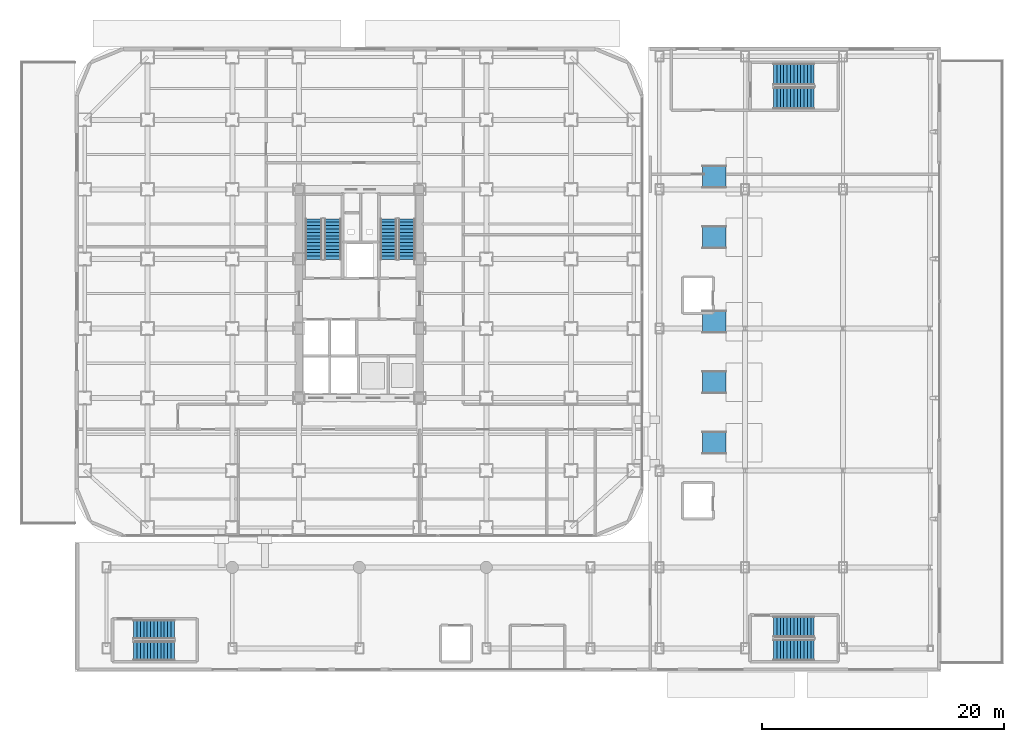
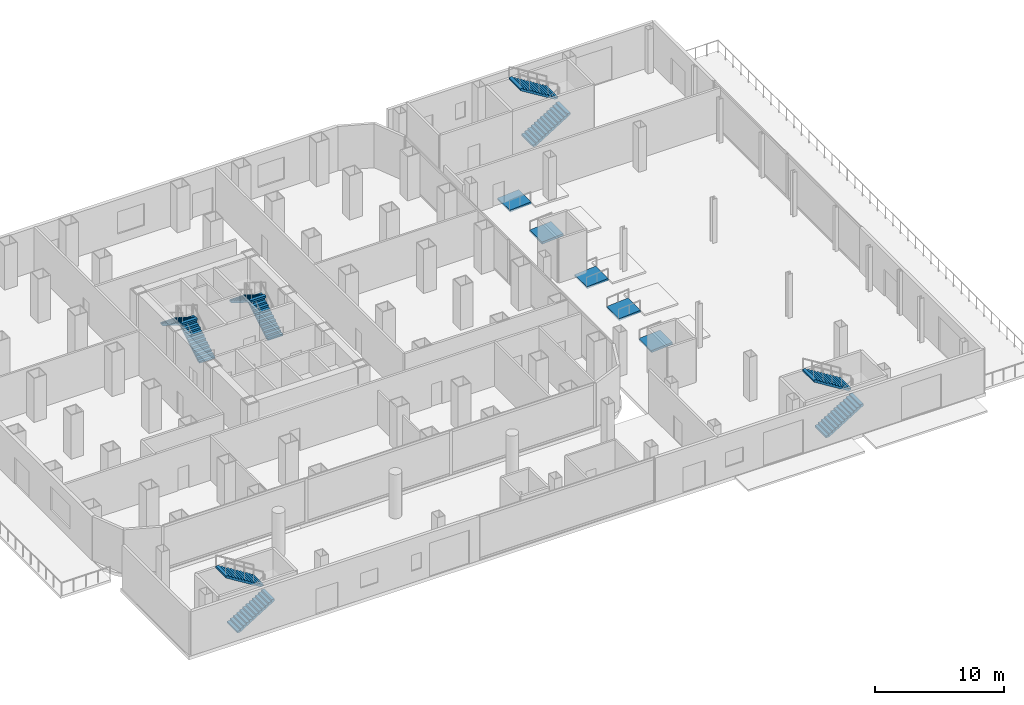
# One storey, part 24 of 31: 10 stair flights, 5 ramp flights, 10 elements without a shape of their own.
"""IFC4 building model written with IfcOpenShell, lengths in metres."""

from ifc_helpers import new_model, si_unit, direction, frame, origin, place, context, subcontext, project, spatial, polyline, outline, extrude, material, layer, layer_set, type_object, element, aggregate, save


model = new_model("IFC4")

# Units and contexts
model_context = context("Model", 3, precision=1e-05, world=origin(), true_north=direction((0.0, 1.0)))
body_context = subcontext(model_context, "Body", "Model", "MODEL_VIEW")
ifc_project = project(units=[si_unit("LENGTHUNIT", "METRE"), si_unit("AREAUNIT", "SQUARE_METRE"), si_unit("VOLUMEUNIT", "CUBIC_METRE"), si_unit("PLANEANGLEUNIT", "RADIAN"), si_unit("MASSUNIT", "GRAM", prefix="KILO")], contexts=[model_context])

# Site, building, storey
site_placement = place(None, origin())
site = spatial("IfcSite", under=ifc_project, at=site_placement, CompositionType="ELEMENT")
building_placement = place(site_placement, origin())
building = spatial("IfcBuilding", under=site, at=building_placement, Name="Kolveth Station Tower", CompositionType="ELEMENT")
storey_placement = place(building_placement, origin())
storey = spatial("IfcBuildingStorey", under=building, at=storey_placement, Name="L00", CompositionType="ELEMENT", Elevation=0.0)

# Stair, stair flights
ifc_material = material(Name="Concrete C40/50", Category="concrete")
stair_type_1 = type_object("IfcStairType", Name="Stair_ST1", PredefinedType="HALF_TURN_STAIR", material=ifc_material)
stair_1_placement = place(storey_placement, origin())
stair_1 = element("IfcStair", 1, at=stair_1_placement, inside=storey, type_object=stair_type_1, Name="L00 Tower Exit Stair ST1", PredefinedType="HALF_TURN_STAIR")
ifc_layer_1 = layer(ifc_material, 0.179931640625)
ifc_layer_set_1 = layer_set([ifc_layer_1], Name="Concrete C40/50")
stair_flight_type_1 = type_object("IfcStairFlightType", Name="Flight_ST1", PredefinedType="STRAIGHT", material=ifc_layer_set_1)
stair_flight_1_placement = place(storey_placement, frame((21.300048828125, 22.949951171875, 0.0), z_axis=(0.0, 0.0, 1.0), x_axis=(0.0, 1.0, 0.0)))
stair_flight_1 = element("IfcStairFlight", 2, at=stair_flight_1_placement, type_object=stair_flight_type_1, Name="ST1 flight 1", NumberOfRisers=13, NumberOfTreads=12, PredefinedType="STRAIGHT", RiserHeight=0.173076923, TreadLength=0.28, context=body_context, shape_type="SweptSolid", body=[
    extrude(outline(polyline([(0.0, 0.0), (0.0, 0.173095703125), (0.280029296875, 0.173095703125), (0.280029296875, 0.34619140625), (0.56005859375, 0.34619140625), (0.56005859375, 0.519287109375), (0.840087890625, 0.519287109375), (0.840087890625, 0.6923828125), (1.1201171875, 0.6923828125), (1.1201171875, 0.865478515625), (1.39990234375, 0.865478515625), (1.39990234375, 1.03857421875), (1.679931640625, 1.03857421875), (1.679931640625, 1.21142578125), (1.9599609375, 1.21142578125), (1.9599609375, 1.384521484375), (2.239990234375, 1.384521484375), (2.239990234375, 1.5576171875), (2.52001953125, 1.5576171875), (2.52001953125, 1.730712890625), (2.800048828125, 1.730712890625), (2.800048828125, 1.90380859375), (3.080078125, 1.90380859375), (3.080078125, 2.076904296875), (3.360107421875, 2.076904296875), (3.360107421875, 2.25), (3.360107421875, 1.900634765625), (0.28515625, 0.0), (0.0, 0.0)])), frame((0.0, 0.699951171875, 0.0), z_axis=(0.0, -1.0, 0.0), x_axis=(1.0, 0.0, 0.0)), (0.0, 0.0, 1.0), 1.39990234375),
])
stair_flight_2_placement = place(storey_placement, frame((19.739990234375, 26.31005859375, 2.25), z_axis=(0.0, 0.0, 1.0), x_axis=(0.0, -1.0, 0.0)))
stair_flight_2 = element("IfcStairFlight", 3, at=stair_flight_2_placement, type_object=stair_flight_type_1, Name="ST1 flight 2", NumberOfRisers=13, NumberOfTreads=12, PredefinedType="STRAIGHT", RiserHeight=0.173076923, TreadLength=0.28, context=body_context, shape_type="SweptSolid", body=[
    extrude(outline(polyline([(0.0, 0.0), (0.0, 0.173095703125), (0.280029296875, 0.173095703125), (0.280029296875, 0.34619140625), (0.56005859375, 0.34619140625), (0.56005859375, 0.519287109375), (0.840087890625, 0.519287109375), (0.840087890625, 0.6923828125), (1.1201171875, 0.6923828125), (1.1201171875, 0.865478515625), (1.39990234375, 0.865478515625), (1.39990234375, 1.03857421875), (1.679931640625, 1.03857421875), (1.679931640625, 1.21142578125), (1.9599609375, 1.21142578125), (1.9599609375, 1.384521484375), (2.239990234375, 1.384521484375), (2.239990234375, 1.5576171875), (2.52001953125, 1.5576171875), (2.52001953125, 1.730712890625), (2.800048828125, 1.730712890625), (2.800048828125, 1.90380859375), (3.080078125, 1.90380859375), (3.080078125, 2.076904296875), (3.360107421875, 2.076904296875), (3.360107421875, 2.25), (3.360107421875, 1.900634765625), (0.28515625, 0.0), (0.0, 0.0)])), frame((0.0, 0.699951171875, 0.0), z_axis=(0.0, -1.0, 0.0), x_axis=(1.0, 0.0, 0.0)), (0.0, 0.0, 1.0), 1.39990234375),
])
aggregate(stair_1, [stair_flight_1, stair_flight_2])

stair_type_2 = type_object("IfcStairType", Name="Stair_ST2", PredefinedType="HALF_TURN_STAIR", material=ifc_material)
stair_2_placement = place(storey_placement, origin())
stair_2 = element("IfcStair", 4, at=stair_2_placement, inside=storey, type_object=stair_type_2, Name="L00 Tower Exit Stair ST2", PredefinedType="HALF_TURN_STAIR")
ifc_layer_2 = layer(ifc_material, 0.179931640625)
ifc_layer_set_2 = layer_set([ifc_layer_2], Name="Concrete C40/50")
stair_flight_type_2 = type_object("IfcStairFlightType", Name="Flight_ST2", PredefinedType="STRAIGHT", material=ifc_layer_set_2)
stair_flight_3_placement = place(storey_placement, frame((27.425048828125, 22.949951171875, 0.0), z_axis=(0.0, 0.0, 1.0), x_axis=(0.0, 1.0, 0.0)))
stair_flight_3 = element("IfcStairFlight", 5, at=stair_flight_3_placement, type_object=stair_flight_type_2, Name="ST2 flight 1", NumberOfRisers=13, NumberOfTreads=12, PredefinedType="STRAIGHT", RiserHeight=0.173076923, TreadLength=0.28, context=body_context, shape_type="SweptSolid", body=[
    extrude(outline(polyline([(0.0, 0.0), (0.0, 0.173095703125), (0.280029296875, 0.173095703125), (0.280029296875, 0.34619140625), (0.56005859375, 0.34619140625), (0.56005859375, 0.519287109375), (0.840087890625, 0.519287109375), (0.840087890625, 0.6923828125), (1.1201171875, 0.6923828125), (1.1201171875, 0.865478515625), (1.39990234375, 0.865478515625), (1.39990234375, 1.03857421875), (1.679931640625, 1.03857421875), (1.679931640625, 1.21142578125), (1.9599609375, 1.21142578125), (1.9599609375, 1.384521484375), (2.239990234375, 1.384521484375), (2.239990234375, 1.5576171875), (2.52001953125, 1.5576171875), (2.52001953125, 1.730712890625), (2.800048828125, 1.730712890625), (2.800048828125, 1.90380859375), (3.080078125, 1.90380859375), (3.080078125, 2.076904296875), (3.360107421875, 2.076904296875), (3.360107421875, 2.25), (3.360107421875, 1.900634765625), (0.28515625, 0.0), (0.0, 0.0)])), frame((0.0, 0.675048828125, 0.0), z_axis=(0.0, -1.0, 0.0), x_axis=(1.0, 0.0, 0.0)), (0.0, 0.0, 1.0), 1.35009765625),
])
stair_flight_4_placement = place(storey_placement, frame((25.9150390625, 26.31005859375, 2.25), z_axis=(0.0, 0.0, 1.0), x_axis=(0.0, -1.0, 0.0)))
stair_flight_4 = element("IfcStairFlight", 6, at=stair_flight_4_placement, type_object=stair_flight_type_2, Name="ST2 flight 2", NumberOfRisers=13, NumberOfTreads=12, PredefinedType="STRAIGHT", RiserHeight=0.173076923, TreadLength=0.28, context=body_context, shape_type="SweptSolid", body=[
    extrude(outline(polyline([(0.0, 0.0), (0.0, 0.173095703125), (0.280029296875, 0.173095703125), (0.280029296875, 0.34619140625), (0.56005859375, 0.34619140625), (0.56005859375, 0.519287109375), (0.840087890625, 0.519287109375), (0.840087890625, 0.6923828125), (1.1201171875, 0.6923828125), (1.1201171875, 0.865478515625), (1.39990234375, 0.865478515625), (1.39990234375, 1.03857421875), (1.679931640625, 1.03857421875), (1.679931640625, 1.21142578125), (1.9599609375, 1.21142578125), (1.9599609375, 1.384521484375), (2.239990234375, 1.384521484375), (2.239990234375, 1.5576171875), (2.52001953125, 1.5576171875), (2.52001953125, 1.730712890625), (2.800048828125, 1.730712890625), (2.800048828125, 1.90380859375), (3.080078125, 1.90380859375), (3.080078125, 2.076904296875), (3.360107421875, 2.076904296875), (3.360107421875, 2.25), (3.360107421875, 1.900634765625), (0.28515625, 0.0), (0.0, 0.0)])), frame((0.0, 0.675048828125, 0.0), z_axis=(0.0, -1.0, 0.0), x_axis=(1.0, 0.0, 0.0)), (0.0, 0.0, 1.0), 1.35009765625),
])
aggregate(stair_2, [stair_flight_3, stair_flight_4])

stair_type_3 = type_object("IfcStairType", Name="Stair_ST3", PredefinedType="HALF_TURN_STAIR", material=ifc_material)
stair_3_placement = place(storey_placement, origin())
stair_3 = element("IfcStair", 7, at=stair_3_placement, inside=storey, type_object=stair_type_3, Name="L00 Station North Exit Stair ST3", PredefinedType="HALF_TURN_STAIR")
ifc_layer_3 = layer(ifc_material, 0.179931640625)
ifc_layer_set_3 = layer_set([ifc_layer_3], Name="Concrete C40/50")
stair_flight_type_3 = type_object("IfcStairFlightType", Name="Flight_ST3", PredefinedType="STRAIGHT", material=ifc_layer_set_3)
stair_flight_5_placement = place(storey_placement, frame((57.75, 36.300048828125, 0.0), z_axis=(0.0, 0.0, 1.0), x_axis=(1.0, 0.0, 0.0)))
stair_flight_5 = element("IfcStairFlight", 8, at=stair_flight_5_placement, type_object=stair_flight_type_3, Name="ST3 flight 1", NumberOfRisers=13, NumberOfTreads=12, PredefinedType="STRAIGHT", RiserHeight=0.173076923, TreadLength=0.28, context=body_context, shape_type="SweptSolid", body=[
    extrude(outline(polyline([(0.0, 0.0), (0.0, 0.173095703125), (0.280029296875, 0.173095703125), (0.280029296875, 0.34619140625), (0.56005859375, 0.34619140625), (0.56005859375, 0.519287109375), (0.840087890625, 0.519287109375), (0.840087890625, 0.6923828125), (1.1201171875, 0.6923828125), (1.1201171875, 0.865478515625), (1.39990234375, 0.865478515625), (1.39990234375, 1.03857421875), (1.679931640625, 1.03857421875), (1.679931640625, 1.21142578125), (1.9599609375, 1.21142578125), (1.9599609375, 1.384521484375), (2.239990234375, 1.384521484375), (2.239990234375, 1.5576171875), (2.52001953125, 1.5576171875), (2.52001953125, 1.730712890625), (2.800048828125, 1.730712890625), (2.800048828125, 1.90380859375), (3.080078125, 1.90380859375), (3.080078125, 2.076904296875), (3.360107421875, 2.076904296875), (3.360107421875, 2.25), (3.360107421875, 1.900634765625), (0.28515625, 0.0), (0.0, 0.0)])), frame((0.0, 0.89990234375, 0.0), z_axis=(0.0, -1.0, 0.0), x_axis=(1.0, 0.0, 0.0)), (0.0, 0.0, 1.0), 1.800048828125),
])
stair_flight_6_placement = place(storey_placement, frame((61.110107421875, 38.260009765625, 2.25), z_axis=(0.0, 0.0, 1.0), x_axis=(-1.0, 0.0, 0.0)))
stair_flight_6 = element("IfcStairFlight", 9, at=stair_flight_6_placement, type_object=stair_flight_type_3, Name="ST3 flight 2", NumberOfRisers=13, NumberOfTreads=12, PredefinedType="STRAIGHT", RiserHeight=0.173076923, TreadLength=0.28, context=body_context, shape_type="SweptSolid", body=[
    extrude(outline(polyline([(0.0, 0.0), (0.0, 0.173095703125), (0.280029296875, 0.173095703125), (0.280029296875, 0.34619140625), (0.56005859375, 0.34619140625), (0.56005859375, 0.519287109375), (0.840087890625, 0.519287109375), (0.840087890625, 0.6923828125), (1.1201171875, 0.6923828125), (1.1201171875, 0.865478515625), (1.39990234375, 0.865478515625), (1.39990234375, 1.03857421875), (1.679931640625, 1.03857421875), (1.679931640625, 1.21142578125), (1.9599609375, 1.21142578125), (1.9599609375, 1.384521484375), (2.239990234375, 1.384521484375), (2.239990234375, 1.5576171875), (2.52001953125, 1.5576171875), (2.52001953125, 1.730712890625), (2.800048828125, 1.730712890625), (2.800048828125, 1.90380859375), (3.080078125, 1.90380859375), (3.080078125, 2.076904296875), (3.360107421875, 2.076904296875), (3.360107421875, 2.25), (3.360107421875, 1.900634765625), (0.28515625, 0.0), (0.0, 0.0)])), frame((0.0, 0.89990234375, 0.0), z_axis=(0.0, -1.0, 0.0), x_axis=(1.0, 0.0, 0.0)), (0.0, 0.0, 1.0), 1.800048828125),
])
aggregate(stair_3, [stair_flight_5, stair_flight_6])

stair_type_4 = type_object("IfcStairType", Name="Stair_ST4", PredefinedType="HALF_TURN_STAIR", material=ifc_material)
stair_4_placement = place(storey_placement, origin())
stair_4 = element("IfcStair", 10, at=stair_4_placement, inside=storey, type_object=stair_type_4, Name="L00 Station South-East Exit Stair ST4", PredefinedType="HALF_TURN_STAIR")
ifc_layer_4 = layer(ifc_material, 0.179931640625)
ifc_layer_set_4 = layer_set([ifc_layer_4], Name="Concrete C40/50")
stair_flight_type_4 = type_object("IfcStairFlightType", Name="Flight_ST4", PredefinedType="STRAIGHT", material=ifc_layer_set_4)
stair_flight_7_placement = place(storey_placement, frame((57.75, -9.324951171875, 0.0), z_axis=(0.0, 0.0, 1.0), x_axis=(1.0, 0.0, 0.0)))
stair_flight_7 = element("IfcStairFlight", 11, at=stair_flight_7_placement, type_object=stair_flight_type_4, Name="ST4 flight 1", NumberOfRisers=13, NumberOfTreads=12, PredefinedType="STRAIGHT", RiserHeight=0.173076923, TreadLength=0.28, context=body_context, shape_type="SweptSolid", body=[
    extrude(outline(polyline([(0.0, 0.0), (0.0, 0.173095703125), (0.280029296875, 0.173095703125), (0.280029296875, 0.34619140625), (0.56005859375, 0.34619140625), (0.56005859375, 0.519287109375), (0.840087890625, 0.519287109375), (0.840087890625, 0.6923828125), (1.1201171875, 0.6923828125), (1.1201171875, 0.865478515625), (1.39990234375, 0.865478515625), (1.39990234375, 1.03857421875), (1.679931640625, 1.03857421875), (1.679931640625, 1.21142578125), (1.9599609375, 1.21142578125), (1.9599609375, 1.384521484375), (2.239990234375, 1.384521484375), (2.239990234375, 1.5576171875), (2.52001953125, 1.5576171875), (2.52001953125, 1.730712890625), (2.800048828125, 1.730712890625), (2.800048828125, 1.90380859375), (3.080078125, 1.90380859375), (3.080078125, 2.076904296875), (3.360107421875, 2.076904296875), (3.360107421875, 2.25), (3.360107421875, 1.900634765625), (0.28515625, 0.0), (0.0, 0.0)])), frame((0.0, 0.875, 0.0), z_axis=(0.0, -1.0, 0.0), x_axis=(1.0, 0.0, 0.0)), (0.0, 0.0, 1.0), 1.75),
])
stair_flight_8_placement = place(storey_placement, frame((61.110107421875, -7.4150390625, 2.25), z_axis=(0.0, 0.0, 1.0), x_axis=(-1.0, 0.0, 0.0)))
stair_flight_8 = element("IfcStairFlight", 12, at=stair_flight_8_placement, type_object=stair_flight_type_4, Name="ST4 flight 2", NumberOfRisers=13, NumberOfTreads=12, PredefinedType="STRAIGHT", RiserHeight=0.173076923, TreadLength=0.28, context=body_context, shape_type="SweptSolid", body=[
    extrude(outline(polyline([(0.0, 0.0), (0.0, 0.173095703125), (0.280029296875, 0.173095703125), (0.280029296875, 0.34619140625), (0.56005859375, 0.34619140625), (0.56005859375, 0.519287109375), (0.840087890625, 0.519287109375), (0.840087890625, 0.6923828125), (1.1201171875, 0.6923828125), (1.1201171875, 0.865478515625), (1.39990234375, 0.865478515625), (1.39990234375, 1.03857421875), (1.679931640625, 1.03857421875), (1.679931640625, 1.21142578125), (1.9599609375, 1.21142578125), (1.9599609375, 1.384521484375), (2.239990234375, 1.384521484375), (2.239990234375, 1.5576171875), (2.52001953125, 1.5576171875), (2.52001953125, 1.730712890625), (2.800048828125, 1.730712890625), (2.800048828125, 1.90380859375), (3.080078125, 1.90380859375), (3.080078125, 2.076904296875), (3.360107421875, 2.076904296875), (3.360107421875, 2.25), (3.360107421875, 1.900634765625), (0.28515625, 0.0), (0.0, 0.0)])), frame((0.0, 0.875, 0.0), z_axis=(0.0, -1.0, 0.0), x_axis=(1.0, 0.0, 0.0)), (0.0, 0.0, 1.0), 1.75),
])
aggregate(stair_4, [stair_flight_7, stair_flight_8])

stair_type_5 = type_object("IfcStairType", Name="Stair_ST5", PredefinedType="HALF_TURN_STAIR", material=ifc_material)
stair_5_placement = place(storey_placement, origin())
stair_5 = element("IfcStair", 13, at=stair_5_placement, inside=storey, type_object=stair_type_5, Name="L00 Station West Concourse Stair ST5", PredefinedType="HALF_TURN_STAIR")
ifc_layer_5 = layer(ifc_material, 0.179931640625)
ifc_layer_set_5 = layer_set([ifc_layer_5], Name="Concrete C40/50")
stair_flight_type_5 = type_object("IfcStairFlightType", Name="Flight_ST5", PredefinedType="STRAIGHT", material=ifc_layer_set_5)
stair_flight_9_placement = place(storey_placement, frame((4.85009765625, -9.39990234375, 0.0), z_axis=(0.0, 0.0, 1.0), x_axis=(1.0, 0.0, 0.0)))
stair_flight_9 = element("IfcStairFlight", 14, at=stair_flight_9_placement, type_object=stair_flight_type_5, Name="ST5 flight 1", NumberOfRisers=13, NumberOfTreads=12, PredefinedType="STRAIGHT", RiserHeight=0.173076923, TreadLength=0.28, context=body_context, shape_type="SweptSolid", body=[
    extrude(outline(polyline([(0.0, 0.0), (0.0, 0.173095703125), (0.280029296875, 0.173095703125), (0.280029296875, 0.34619140625), (0.56005859375, 0.34619140625), (0.56005859375, 0.519287109375), (0.840087890625, 0.519287109375), (0.840087890625, 0.6923828125), (1.1201171875, 0.6923828125), (1.1201171875, 0.865478515625), (1.39990234375, 0.865478515625), (1.39990234375, 1.03857421875), (1.679931640625, 1.03857421875), (1.679931640625, 1.21142578125), (1.9599609375, 1.21142578125), (1.9599609375, 1.384521484375), (2.239990234375, 1.384521484375), (2.239990234375, 1.5576171875), (2.52001953125, 1.5576171875), (2.52001953125, 1.730712890625), (2.800048828125, 1.730712890625), (2.800048828125, 1.90380859375), (3.080078125, 1.90380859375), (3.080078125, 2.076904296875), (3.360107421875, 2.076904296875), (3.360107421875, 2.25), (3.360107421875, 1.900634765625), (0.28515625, 0.0), (0.0, 0.0)])), frame((0.0, 0.800048828125, 0.0), z_axis=(0.0, -1.0, 0.0), x_axis=(1.0, 0.0, 0.0)), (0.0, 0.0, 1.0), 1.60009765625),
])
stair_flight_10_placement = place(storey_placement, frame((8.2099609375, -7.639892578125, 2.25), z_axis=(0.0, 0.0, 1.0), x_axis=(-1.0, 0.0, 0.0)))
stair_flight_10 = element("IfcStairFlight", 15, at=stair_flight_10_placement, type_object=stair_flight_type_5, Name="ST5 flight 2", NumberOfRisers=13, NumberOfTreads=12, PredefinedType="STRAIGHT", RiserHeight=0.173076923, TreadLength=0.28, context=body_context, shape_type="SweptSolid", body=[
    extrude(outline(polyline([(0.0, 0.0), (0.0, 0.173095703125), (0.280029296875, 0.173095703125), (0.280029296875, 0.34619140625), (0.56005859375, 0.34619140625), (0.56005859375, 0.519287109375), (0.840087890625, 0.519287109375), (0.840087890625, 0.6923828125), (1.1201171875, 0.6923828125), (1.1201171875, 0.865478515625), (1.39990234375, 0.865478515625), (1.39990234375, 1.03857421875), (1.679931640625, 1.03857421875), (1.679931640625, 1.21142578125), (1.9599609375, 1.21142578125), (1.9599609375, 1.384521484375), (2.239990234375, 1.384521484375), (2.239990234375, 1.5576171875), (2.52001953125, 1.5576171875), (2.52001953125, 1.730712890625), (2.800048828125, 1.730712890625), (2.800048828125, 1.90380859375), (3.080078125, 1.90380859375), (3.080078125, 2.076904296875), (3.360107421875, 2.076904296875), (3.360107421875, 2.25), (3.360107421875, 1.900634765625), (0.28515625, 0.0), (0.0, 0.0)])), frame((0.0, 0.800048828125, 0.0), z_axis=(0.0, -1.0, 0.0), x_axis=(1.0, 0.0, 0.0)), (0.0, 0.0, 1.0), 1.60009765625),
])
aggregate(stair_5, [stair_flight_9, stair_flight_10])

# Ramp, ramp flight
ramp_type = type_object("IfcRampType", Name="Ramp_RP1", PredefinedType="STRAIGHT_RUN_RAMP", material=ifc_material)
ramp_1_placement = place(storey_placement, origin())
ramp_1 = element("IfcRamp", 16, at=ramp_1_placement, inside=storey, type_object=ramp_type, Name="L00 Accessible 1-in-12 Concourse Ramp 1", PredefinedType="STRAIGHT_RUN_RAMP")
ifc_layer_6 = layer(ifc_material, 0.199951171875)
ifc_layer_set_6 = layer_set([ifc_layer_6], Name="Concrete C40/50")
ramp_flight_type = type_object("IfcRampFlightType", Name="RampFlight_RPF1", PredefinedType="STRAIGHT", material=ifc_layer_set_6)
ramp_flight_1_placement = place(storey_placement, frame((51.8798828125, 6.8349609375, 0.02001953125), z_axis=(-0.072661837489, 0.0, 0.997356634997), x_axis=(0.997356634997, 0.0, 0.072661837489)))
ramp_flight_1 = element("IfcRampFlight", 17, at=ramp_flight_1_placement, type_object=ramp_flight_type, Name="L00 Accessible Concourse Ramp 1 Flight", PredefinedType="STRAIGHT", context=body_context, shape_type="SweptSolid", body=[
    extrude(outline(polyline([(0.0, 0.0), (1.9252551677571592, 0.0), (1.9252551677571592, 1.929931640625), (0.0, 1.929931640625), (0.0, 0.0)])), origin(), (0.0, 0.0, -1.0), 0.199951171875),
])
aggregate(ramp_1, [ramp_flight_1])

ramp_2_placement = place(storey_placement, origin())
ramp_2 = element("IfcRamp", 18, at=ramp_2_placement, inside=storey, type_object=ramp_type, Name="L00 Accessible 1-in-12 Concourse Ramp 2", PredefinedType="STRAIGHT_RUN_RAMP")
ramp_flight_2_placement = place(storey_placement, frame((51.8798828125, 11.8349609375, 0.02001953125), z_axis=(-0.072661837489, 0.0, 0.997356634997), x_axis=(0.997356634997, 0.0, 0.072661837489)))
ramp_flight_2 = element("IfcRampFlight", 19, at=ramp_flight_2_placement, type_object=ramp_flight_type, Name="L00 Accessible Concourse Ramp 2 Flight", PredefinedType="STRAIGHT", context=body_context, shape_type="SweptSolid", body=[
    extrude(outline(polyline([(0.0, 0.0), (1.9252551677571592, 0.0), (1.9252551677571592, 1.929931640625), (0.0, 1.929931640625), (0.0, 0.0)])), origin(), (0.0, 0.0, -1.0), 0.199951171875),
])
aggregate(ramp_2, [ramp_flight_2])

ramp_3_placement = place(storey_placement, origin())
ramp_3 = element("IfcRamp", 20, at=ramp_3_placement, inside=storey, type_object=ramp_type, Name="L00 Accessible 1-in-12 Concourse Ramp 3", PredefinedType="STRAIGHT_RUN_RAMP")
ramp_flight_3_placement = place(storey_placement, frame((51.8798828125, 16.8349609375, 0.02001953125), z_axis=(-0.072661837489, 0.0, 0.997356634997), x_axis=(0.997356634997, 0.0, 0.072661837489)))
ramp_flight_3 = element("IfcRampFlight", 21, at=ramp_flight_3_placement, type_object=ramp_flight_type, Name="L00 Accessible Concourse Ramp 3 Flight", PredefinedType="STRAIGHT", context=body_context, shape_type="SweptSolid", body=[
    extrude(outline(polyline([(0.0, 0.0), (1.9252551677571592, 0.0), (1.9252551677571592, 1.929931640625), (0.0, 1.929931640625), (0.0, 0.0)])), origin(), (0.0, 0.0, -1.0), 0.199951171875),
])
aggregate(ramp_3, [ramp_flight_3])

ramp_4_placement = place(storey_placement, origin())
ramp_4 = element("IfcRamp", 22, at=ramp_4_placement, inside=storey, type_object=ramp_type, Name="L00 Accessible 1-in-12 Concourse Ramp 4", PredefinedType="STRAIGHT_RUN_RAMP")
ramp_flight_4_placement = place(storey_placement, frame((51.8798828125, 23.8349609375, 0.02001953125), z_axis=(-0.072661837489, 0.0, 0.997356634997), x_axis=(0.997356634997, 0.0, 0.072661837489)))
ramp_flight_4 = element("IfcRampFlight", 23, at=ramp_flight_4_placement, type_object=ramp_flight_type, Name="L00 Accessible Concourse Ramp 4 Flight", PredefinedType="STRAIGHT", context=body_context, shape_type="SweptSolid", body=[
    extrude(outline(polyline([(0.0, 0.0), (1.9252551677571592, 0.0), (1.9252551677571592, 1.929931640625), (0.0, 1.929931640625), (0.0, 0.0)])), origin(), (0.0, 0.0, -1.0), 0.199951171875),
])
aggregate(ramp_4, [ramp_flight_4])

ramp_5_placement = place(storey_placement, origin())
ramp_5 = element("IfcRamp", 24, at=ramp_5_placement, inside=storey, type_object=ramp_type, Name="L00 Accessible 1-in-12 Concourse Ramp 5", PredefinedType="STRAIGHT_RUN_RAMP")
ramp_flight_5_placement = place(storey_placement, frame((51.8798828125, 28.8349609375, 0.02001953125), z_axis=(-0.072661837489, 0.0, 0.997356634997), x_axis=(0.997356634997, 0.0, 0.072661837489)))
ramp_flight_5 = element("IfcRampFlight", 25, at=ramp_flight_5_placement, type_object=ramp_flight_type, Name="L00 Accessible Concourse Ramp 5 Flight", PredefinedType="STRAIGHT", context=body_context, shape_type="SweptSolid", body=[
    extrude(outline(polyline([(0.0, 0.0), (1.9252551677571592, 0.0), (1.9252551677571592, 1.929931640625), (0.0, 1.929931640625), (0.0, 0.0)])), origin(), (0.0, 0.0, -1.0), 0.199951171875),
])
aggregate(ramp_5, [ramp_flight_5])

save(model, "model.ifc")
